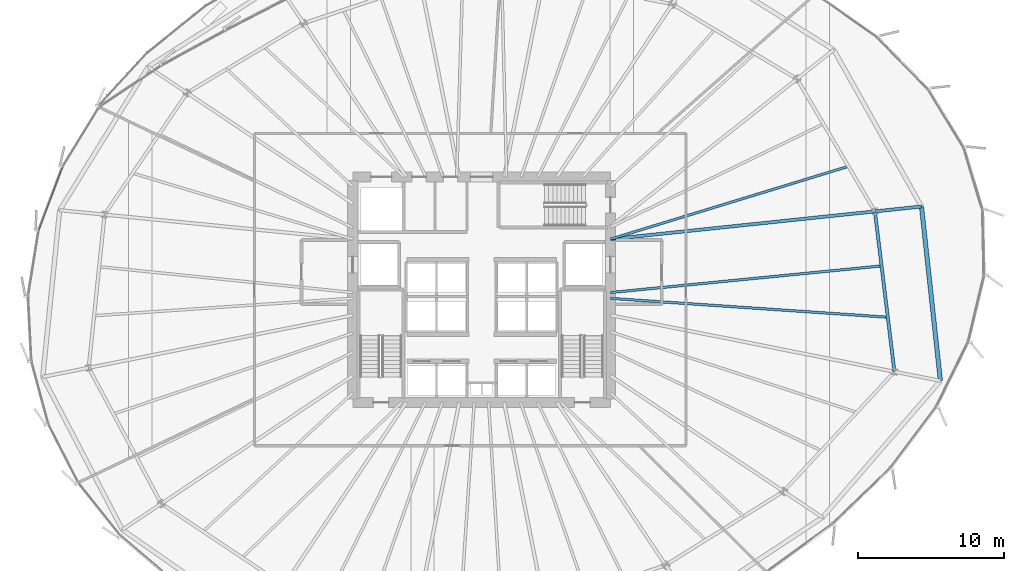
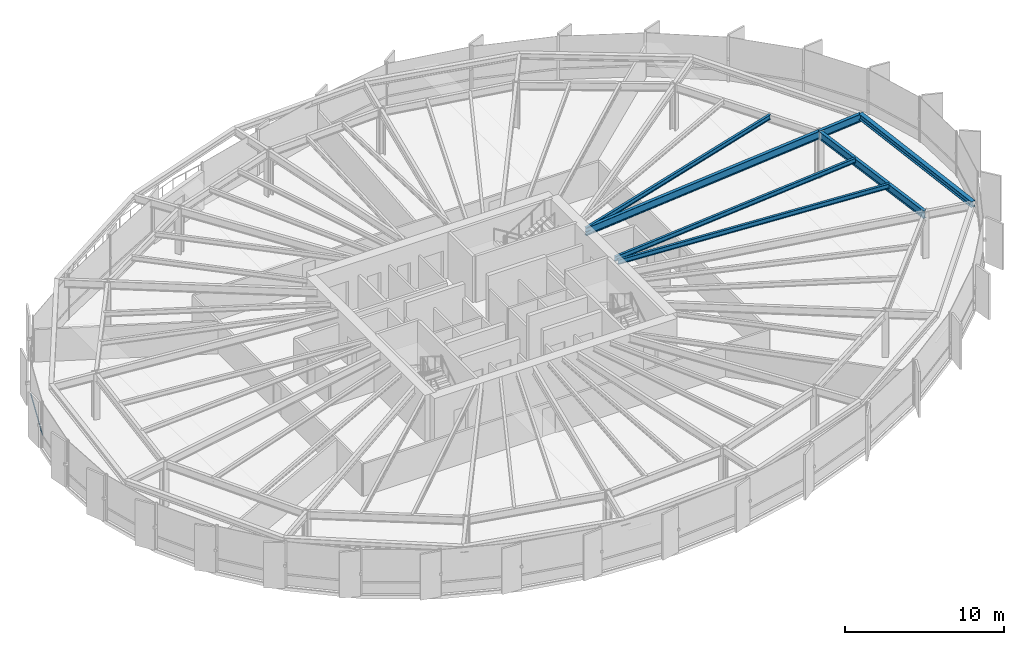
# One storey, part 16 of 38: 7 beams, 1 member, 1 element without a shape of its own.
"""IFC4 building model written with IfcOpenShell, lengths in metres."""

from ifc_helpers import new_model, si_unit, direction, frame, origin, origin_2d, place, context, subcontext, project, spatial, hollow_rectangle, i_section, extrude, source, transform, mapped, material, layer, layer_set, material_profile, profile_set, type_object, element, aggregate, save


model = new_model("IFC4")

# Units and contexts
model_context = context("Model", 3, precision=1e-05, world=origin(), true_north=direction((0.0, 1.0)))
body_context = subcontext(model_context, "Body", "Model", "MODEL_VIEW")
ifc_project = project(units=[si_unit("LENGTHUNIT", "METRE"), si_unit("AREAUNIT", "SQUARE_METRE"), si_unit("VOLUMEUNIT", "CUBIC_METRE"), si_unit("PLANEANGLEUNIT", "RADIAN"), si_unit("MASSUNIT", "GRAM", prefix="KILO"), si_unit("THERMODYNAMICTEMPERATUREUNIT", "KELVIN")], contexts=[model_context])

# Site, building, storey
site_placement = place(None, origin())
site = spatial("IfcSite", under=ifc_project, at=site_placement, CompositionType="ELEMENT")
building_placement = place(site_placement, origin())
building = spatial("IfcBuilding", under=site, at=building_placement, Name="Kethvar Cultural Tower", CompositionType="ELEMENT")
storey_placement = place(building_placement, frame((0.0, 0.0, 67.60009765625)))
storey = spatial("IfcBuildingStorey", under=building, at=storey_placement, Name="L16", CompositionType="ELEMENT", Elevation=67.60009765625)

# Beams
ifc_material_1 = material(Name="Steel S355J2", Category="steel")
ifc_material_profile_1 = material_profile(ifc_material_1, i_section(OverallWidth=0.219970703125, OverallDepth=0.60009765625, WebThickness=0.011962890625, FlangeThickness=0.01904296875, FilletRadius=0.02392578125, at=origin_2d()), Name="Steel S355J2 — IPE600")
ifc_profile_set_1 = profile_set([ifc_material_profile_1], Name="Steel S355J2 — IPE600")
beam_type_1 = type_object("IfcBeamType", Name="BM-IPE600", PredefinedType="BEAM", material=ifc_profile_set_1)
shared_shape_1 = source(origin(), body_context, "Body", "SweptSolid", [
    extrude(i_section(OverallWidth=0.219970703125, OverallDepth=0.60009765625, WebThickness=0.011962890625, FlangeThickness=0.01904296875, FilletRadius=0.02392578125, at=origin_2d()), origin(), (0.0, 0.0, 1.0), 18.155517578125),
])
beam_1_placement = place(storey_placement, frame((55.60009765625, 31.25, 3.247802734375), z_axis=(0.994554710129, 0.104215778847, 0.0), x_axis=(-0.104215778847, 0.994554710129, 0.0)))
element("IfcBeam", 1, at=beam_1_placement, inside=storey, type_object=beam_type_1, Name="L16 Primary Radial Beam RB-01", PredefinedType="BEAM", context=body_context, shape_type="MappedRepresentation", body=[
    mapped(shared_shape_1, transform((0.0, 0.0, 0.0), scale=1.0)),
])
shared_shape_2 = source(origin(), body_context, "Body", "SweptSolid", [
    extrude(i_section(OverallWidth=0.219970703125, OverallDepth=0.60009765625, WebThickness=0.011962890625, FlangeThickness=0.01904296875, FilletRadius=0.02392578125, at=origin_2d()), origin(), (0.0, 0.0, 1.0), 3.199951171875),
])
beam_2_placement = place(storey_placement, frame((73.65673828125, 33.14208984375, 3.247802734375), z_axis=(0.994554671638, 0.104216146169, 0.0), x_axis=(-0.104216146169, 0.994554671638, 0.0)))
element("IfcBeam", 2, at=beam_2_placement, inside=storey, type_object=beam_type_1, Name="L16 Perimeter Cantilever Beam RC-01", PredefinedType="BEAM", context=body_context, shape_type="MappedRepresentation", body=[
    mapped(shared_shape_2, transform((0.0, 0.0, 0.0), scale=1.0)),
])
ifc_material_profile_2 = material_profile(ifc_material_1, i_section(OverallWidth=0.169921875, OverallDepth=0.360107421875, WebThickness=0.008056640625, FlangeThickness=0.0126953125, FilletRadius=0.01806640625, at=origin_2d()), Name="Steel S355J2 — IPE360")
ifc_profile_set_2 = profile_set([ifc_material_profile_2], Name="Steel S355J2 — IPE360")
beam_type_2 = type_object("IfcBeamType", Name="BM-J360", PredefinedType="JOIST", material=ifc_profile_set_2)
shared_shape_3 = source(origin(), body_context, "Body", "SweptSolid", [
    extrude(i_section(OverallWidth=0.169921875, OverallDepth=0.360107421875, WebThickness=0.008056640625, FlangeThickness=0.0126953125, FilletRadius=0.01806640625, at=origin_2d()), origin(), (0.0, 0.0, 1.0), 16.990478515625),
])
beam_3_placement = place(storey_placement, frame((55.60009765625, 31.25, 3.367919921875), z_axis=(0.956287408668, 0.292428439149, 0.0), x_axis=(-0.292428439149, 0.956287408668, 0.0)))
element("IfcBeam", 3, at=beam_3_placement, inside=storey, type_object=beam_type_2, Name="L16 Composite Floor Joist J-01A", PredefinedType="JOIST", context=body_context, shape_type="MappedRepresentation", body=[
    mapped(shared_shape_3, transform((0.0, 0.0, 0.0), scale=1.0)),
])
shared_shape_4 = source(origin(), body_context, "Body", "SweptSolid", [
    extrude(i_section(OverallWidth=0.219970703125, OverallDepth=0.60009765625, WebThickness=0.011962890625, FlangeThickness=0.01904296875, FilletRadius=0.02392578125, at=origin_2d()), origin(), (0.0, 0.0, 1.0), 11.03076171875),
])
beam_4_placement = place(storey_placement, frame((74.9912109375, 22.1923828125, 3.247802734375), z_axis=(-0.120977779442, 0.992655215511, 0.0), x_axis=(-0.992655215511, -0.120977779442, 0.0)))
element("IfcBeam", 4, at=beam_4_placement, inside=storey, type_object=beam_type_1, Name="L16 Column Ring Tie Beam CR-16", PredefinedType="BEAM", context=body_context, shape_type="MappedRepresentation", body=[
    mapped(shared_shape_4, transform((0.0, 0.0, 0.0), scale=1.0)),
])
shared_shape_5 = source(origin(), body_context, "Body", "SweptSolid", [
    extrude(i_section(OverallWidth=0.169921875, OverallDepth=0.360107421875, WebThickness=0.008056640625, FlangeThickness=0.0126953125, FilletRadius=0.01806640625, at=origin_2d()), origin(), (0.0, 0.0, 1.0), 18.981201171875),
])
beam_5_placement = place(storey_placement, frame((55.60009765625, 27.2021484375, 3.367919921875), z_axis=(0.997699141247, -0.067796928805, 0.0), x_axis=(0.067796928805, 0.997699141247, 0.0)))
element("IfcBeam", 5, at=beam_5_placement, inside=storey, type_object=beam_type_2, Name="L16 Composite Floor Joist J-16A", PredefinedType="JOIST", context=body_context, shape_type="MappedRepresentation", body=[
    mapped(shared_shape_5, transform((0.0, 0.0, 0.0), scale=1.0)),
])
shared_shape_6 = source(origin(), body_context, "Body", "SweptSolid", [
    extrude(i_section(OverallWidth=0.169921875, OverallDepth=0.360107421875, WebThickness=0.008056640625, FlangeThickness=0.0126953125, FilletRadius=0.01806640625, at=origin_2d()), origin(), (0.0, 0.0, 1.0), 18.599609375),
])
beam_6_placement = place(storey_placement, frame((55.60009765625, 27.60009765625, 3.367919921875), z_axis=(0.995205855092, 0.097802382335, 0.0), x_axis=(-0.097802382335, 0.995205855092, 0.0)))
element("IfcBeam", 6, at=beam_6_placement, inside=storey, type_object=beam_type_2, Name="L16 Composite Floor Joist J-16B", PredefinedType="JOIST", context=body_context, shape_type="MappedRepresentation", body=[
    mapped(shared_shape_6, transform((0.0, 0.0, 0.0), scale=1.0)),
])
ifc_material_profile_3 = material_profile(ifc_material_1, i_section(OverallWidth=0.300048828125, OverallDepth=0.449951171875, WebThickness=0.013916015625, FlangeThickness=0.02587890625, FilletRadius=0.027099609375, at=origin_2d()), Name="Steel S355J2 — HEB450")
ifc_profile_set_3 = profile_set([ifc_material_profile_3], Name="Steel S355J2 — HEB450")
beam_type_3 = type_object("IfcBeamType", Name="BM-SP450", PredefinedType="SPANDREL", material=ifc_profile_set_3)
shared_shape_7 = source(origin(), body_context, "Body", "SweptSolid", [
    extrude(i_section(OverallWidth=0.300048828125, OverallDepth=0.449951171875, WebThickness=0.013916015625, FlangeThickness=0.02587890625, FilletRadius=0.027099609375, at=origin_2d()), origin(), (0.0, 0.0, 1.0), 11.977294921875),
])
beam_7_placement = place(storey_placement, frame((78.129638671875, 21.568115234375, 3.322998046875), z_axis=(-0.107728520761, 0.994180348737, 0.0), x_axis=(-0.994180348737, -0.107728520761, 0.0)))
element("IfcBeam", 7, at=beam_7_placement, inside=storey, type_object=beam_type_3, Name="L16 Perimeter Spandrel Beam SP-16", PredefinedType="SPANDREL", context=body_context, shape_type="MappedRepresentation", body=[
    mapped(shared_shape_7, transform((0.0, 0.0, 0.0), scale=1.0)),
])

# Curtain wall, member
ifc_material_2 = material(Name="Aluminium 6063-T6", Category="aluminium")
ifc_layer = layer(ifc_material_2, 0.179931640625, Name="Aluminium 6063-T6", Category="aluminium")
ifc_layer_set = layer_set([ifc_layer], Name="Aluminium 6063-T6 (180 mm)")
curtain_wall_type = type_object("IfcCurtainWallType", Name="CW-SYS-02-Z1", PredefinedType="NOTDEFINED", material=ifc_layer_set)
curtain_wall_placement = place(storey_placement, origin())
curtain_wall = element("IfcCurtainWall", 8, at=curtain_wall_placement, inside=storey, type_object=curtain_wall_type, Name="L16 Curtain Wall Run 03", PredefinedType="NOTDEFINED")
ifc_material_profile_4 = material_profile(ifc_material_2, hollow_rectangle(XDim=0.054931640625, YDim=0.1201171875, WallThickness=0.00390625, at=origin_2d()), Name="Aluminium 6063-T6 — RHS120x55x4")
ifc_profile_set_4 = profile_set([ifc_material_profile_4], Name="Aluminium 6063-T6 — RHS120x55x4")
member_type = type_object("IfcMemberType", Name="CW-SYS-02-Z1-TRN", PredefinedType="USERDEFINED", material=ifc_profile_set_4)
shared_shape_8 = source(origin(), body_context, "Body", "SweptSolid", [
    extrude(hollow_rectangle(XDim=0.054931640625, YDim=0.1201171875, WallThickness=0.00390625, at=origin_2d()), origin(), (0.0, 0.0, 1.0), 4.561279296875),
])
member_placement = place(storey_placement, frame((18.168212890625, 36.129638671875, 0.949951171875), z_axis=(-0.352349062181, -0.935868654449, 0.0), x_axis=(0.935868654449, -0.352349062181, 0.0)))
member = element("IfcMember", 9, at=member_placement, type_object=member_type, Name="CW-L16-R03 Transom 5", ObjectType="TRANSOM", PredefinedType="USERDEFINED", context=body_context, shape_type="MappedRepresentation", body=[
    mapped(shared_shape_8, transform((0.0, 0.0, 0.0), scale=1.0)),
])
aggregate(curtain_wall, [member])

save(model, "model.ifc")
